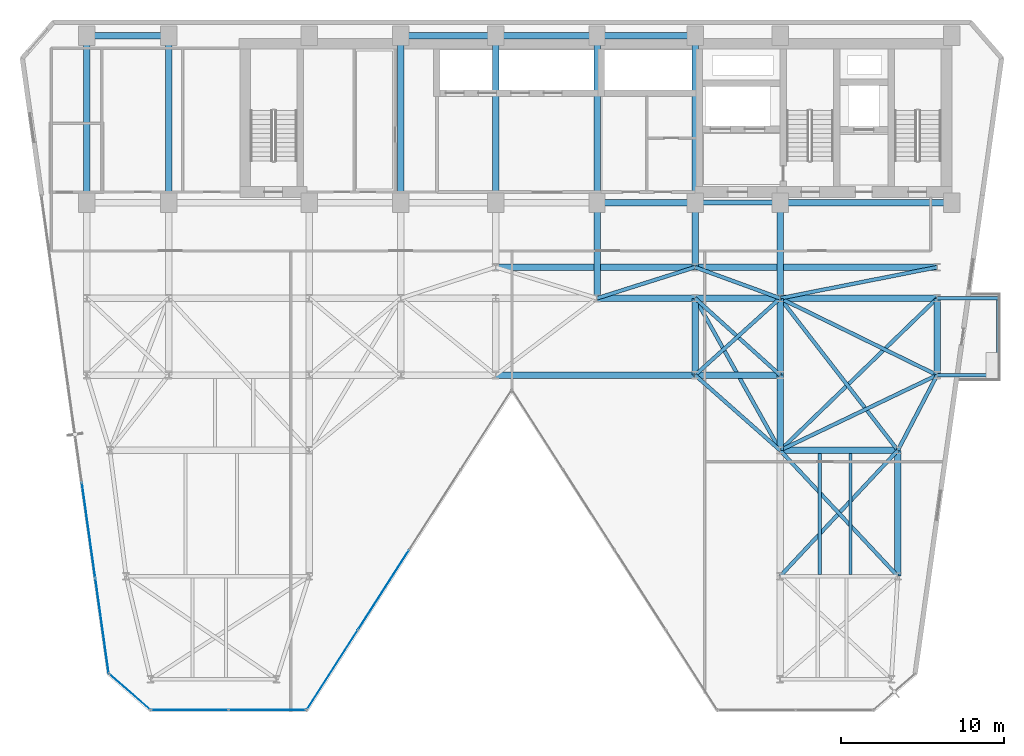
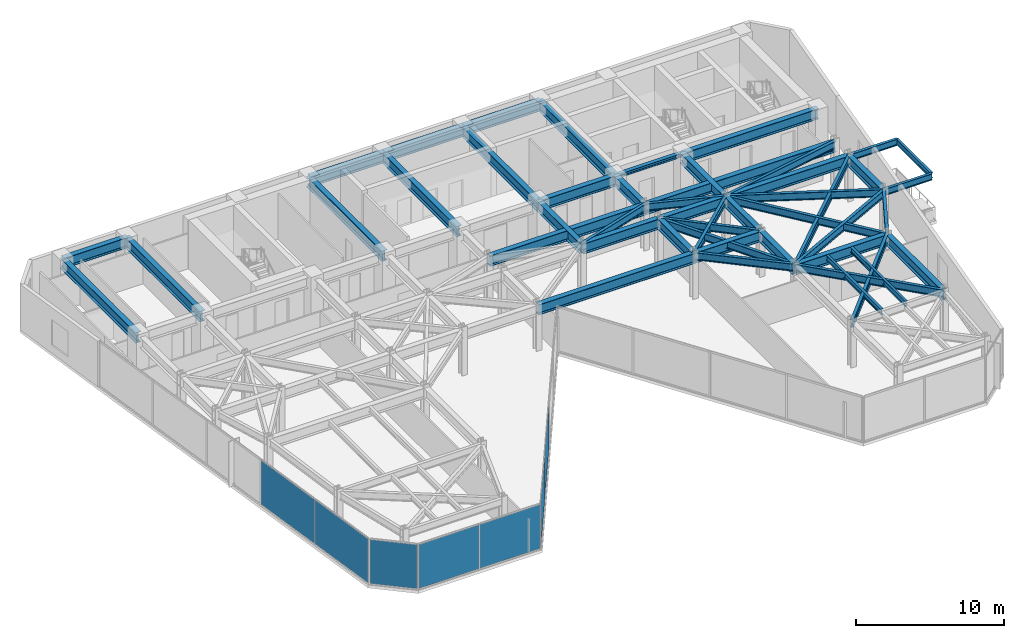
# One storey, part 20 of 26: 48 beams, 7 plates, 4 elements without a shape of their own.
"""IFC4 building model written with IfcOpenShell, lengths in metres."""

from ifc_helpers import new_model, si_unit, direction, frame, origin, origin_2d, place, context, subcontext, project, spatial, rectangle, i_section, extrude, material, layer, layer_set, material_profile, profile_set, type_object, element, aggregate, save


model = new_model("IFC4")

# Units and contexts
model_context = context("Model", 3, precision=1e-05, world=origin(), true_north=direction((0.0, 1.0)))
body_context = subcontext(model_context, "Body", "Model", "MODEL_VIEW")
ifc_project = project(units=[si_unit("LENGTHUNIT", "METRE"), si_unit("AREAUNIT", "SQUARE_METRE"), si_unit("VOLUMEUNIT", "CUBIC_METRE"), si_unit("PLANEANGLEUNIT", "RADIAN"), si_unit("MASSUNIT", "GRAM", prefix="KILO")], contexts=[model_context])

# Site, building, storey
site_placement = place(None, origin())
site = spatial("IfcSite", under=ifc_project, at=site_placement, CompositionType="ELEMENT")
building_placement = place(site_placement, origin())
building = spatial("IfcBuilding", under=site, at=building_placement, Name="Kravanh Interchange Tower", CompositionType="ELEMENT")
storey_placement = place(building_placement, frame((0.0, 0.0, 124.0)))
storey = spatial("IfcBuildingStorey", under=building, at=storey_placement, Name="L29", CompositionType="ELEMENT", Elevation=124.0)

# Beams
ifc_material_1 = material(Name="Structural Steel S355", Category="steel")
ifc_material_profile_1 = material_profile(ifc_material_1, i_section(OverallWidth=0.39990234375, OverallDepth=0.85595703125, WebThickness=0.018310546875, FlangeThickness=0.029296875, FilletRadius=0.02490234375, at=origin_2d()), Name="W33X201")
ifc_profile_set_1 = profile_set([ifc_material_profile_1], Name="Structural Steel S355")
beam_type_1 = type_object("IfcBeamType", Name="Floor Beam W33X201 Structural Steel S355", PredefinedType="BEAM", material=ifc_profile_set_1)
beam_1_placement = place(storey_placement, frame((66.5, 37.35009765625, 3.322021484375), z_axis=(-1.0, 0.0, 0.0), x_axis=(0.0, -1.0, 0.0)))
element("IfcBeam", 1, at=beam_1_placement, inside=storey, type_object=beam_type_1, Name="L29 Primary Floor Girder 5", PredefinedType="BEAM", context=body_context, shape_type="SweptSolid", body=[
    extrude(i_section(OverallWidth=0.39990234375, OverallDepth=0.85595703125, WebThickness=0.018310546875, FlangeThickness=0.029296875, FilletRadius=0.02490234375, at=origin_2d()), origin(), (0.0, 0.0, 1.0), 10.5),
])
beam_2_placement = place(storey_placement, frame((56.0, 37.35009765625, 3.322021484375), z_axis=(0.0, -1.0, 0.0), x_axis=(1.0, 0.0, 0.0)))
element("IfcBeam", 2, at=beam_2_placement, inside=storey, type_object=beam_type_1, Name="L29 Primary Floor Girder 7", PredefinedType="BEAM", context=body_context, shape_type="SweptSolid", body=[
    extrude(i_section(OverallWidth=0.39990234375, OverallDepth=0.85595703125, WebThickness=0.018310546875, FlangeThickness=0.029296875, FilletRadius=0.02490234375, at=origin_2d()), origin(), (0.0, 0.0, 1.0), 5.85009765625),
])
beam_3_placement = place(storey_placement, frame((50.800048828125, 47.550048828125, 3.322021484375), z_axis=(-1.0, 0.0, 0.0), x_axis=(0.0, -1.0, 0.0)))
element("IfcBeam", 3, at=beam_3_placement, inside=storey, type_object=beam_type_1, Name="L29 Primary Floor Girder 8", PredefinedType="BEAM", context=body_context, shape_type="SweptSolid", body=[
    extrude(i_section(OverallWidth=0.39990234375, OverallDepth=0.85595703125, WebThickness=0.018310546875, FlangeThickness=0.029296875, FilletRadius=0.02490234375, at=origin_2d()), origin(), (0.0, 0.0, 1.0), 6.0),
])
beam_4_placement = place(storey_placement, frame((50.800048828125, 47.550048828125, 3.322021484375), z_axis=(0.0, -1.0, 0.0), x_axis=(1.0, 0.0, 0.0)))
element("IfcBeam", 4, at=beam_4_placement, inside=storey, type_object=beam_type_1, Name="L29 Primary Floor Girder 9", PredefinedType="BEAM", context=body_context, shape_type="SweptSolid", body=[
    extrude(i_section(OverallWidth=0.39990234375, OverallDepth=0.85595703125, WebThickness=0.018310546875, FlangeThickness=0.029296875, FilletRadius=0.02490234375, at=origin_2d()), origin(), (0.0, 0.0, 1.0), 10.199951171875),
])
beam_5_placement = place(storey_placement, frame((50.800048828125, 37.35009765625, 3.322021484375), z_axis=(0.0, -1.0, 0.0), x_axis=(1.0, 0.0, 0.0)))
element("IfcBeam", 5, at=beam_5_placement, inside=storey, type_object=beam_type_1, Name="L29 Primary Floor Girder 10", PredefinedType="BEAM", context=body_context, shape_type="SweptSolid", body=[
    extrude(i_section(OverallWidth=0.39990234375, OverallDepth=0.85595703125, WebThickness=0.018310546875, FlangeThickness=0.029296875, FilletRadius=0.02490234375, at=origin_2d()), origin(), (0.0, 0.0, 1.0), 3.9501953125),
])
beam_6_placement = place(storey_placement, frame((50.800048828125, 37.35009765625, 3.322021484375), z_axis=(-1.0, 0.0, 0.0), x_axis=(0.0, -1.0, 0.0)))
element("IfcBeam", 6, at=beam_6_placement, inside=storey, type_object=beam_type_1, Name="L29 Primary Floor Girder 11", PredefinedType="BEAM", context=body_context, shape_type="SweptSolid", body=[
    extrude(i_section(OverallWidth=0.39990234375, OverallDepth=0.85595703125, WebThickness=0.018310546875, FlangeThickness=0.029296875, FilletRadius=0.02490234375, at=origin_2d()), origin(), (0.0, 0.0, 1.0), 6.0),
])
beam_7_placement = place(storey_placement, frame((44.800048828125, 37.35009765625, 3.322021484375), z_axis=(0.0, -1.0, 0.0), x_axis=(1.0, 0.0, 0.0)))
element("IfcBeam", 7, at=beam_7_placement, inside=storey, type_object=beam_type_1, Name="L29 Primary Floor Girder 12", PredefinedType="BEAM", context=body_context, shape_type="SweptSolid", body=[
    extrude(i_section(OverallWidth=0.39990234375, OverallDepth=0.85595703125, WebThickness=0.018310546875, FlangeThickness=0.029296875, FilletRadius=0.02490234375, at=origin_2d()), origin(), (0.0, 0.0, 1.0), 5.85009765625),
])
beam_8_placement = place(storey_placement, frame((44.800048828125, 37.35009765625, 3.322021484375), z_axis=(0.0, 1.0, 0.0), x_axis=(-1.0, 0.0, 0.0)))
element("IfcBeam", 8, at=beam_8_placement, inside=storey, type_object=beam_type_1, Name="L29 Primary Floor Girder 14", PredefinedType="BEAM", context=body_context, shape_type="SweptSolid", body=[
    extrude(i_section(OverallWidth=0.39990234375, OverallDepth=0.85595703125, WebThickness=0.018310546875, FlangeThickness=0.029296875, FilletRadius=0.02490234375, at=origin_2d()), origin(), (0.0, 0.0, 1.0), 10.199951171875),
])
beam_9_placement = place(storey_placement, frame((44.800048828125, 47.550048828125, 3.322021484375), z_axis=(-1.0, 0.0, 0.0), x_axis=(0.0, -1.0, 0.0)))
element("IfcBeam", 9, at=beam_9_placement, inside=storey, type_object=beam_type_1, Name="L29 Primary Floor Girder 15", PredefinedType="BEAM", context=body_context, shape_type="SweptSolid", body=[
    extrude(i_section(OverallWidth=0.39990234375, OverallDepth=0.85595703125, WebThickness=0.018310546875, FlangeThickness=0.029296875, FilletRadius=0.02490234375, at=origin_2d()), origin(), (0.0, 0.0, 1.0), 6.199951171875),
])
beam_10_placement = place(storey_placement, frame((38.60009765625, 37.35009765625, 3.322021484375), z_axis=(0.0, 1.0, 0.0), x_axis=(-1.0, 0.0, 0.0)))
element("IfcBeam", 10, at=beam_10_placement, inside=storey, type_object=beam_type_1, Name="L29 Primary Floor Girder 18", PredefinedType="BEAM", context=body_context, shape_type="SweptSolid", body=[
    extrude(i_section(OverallWidth=0.39990234375, OverallDepth=0.85595703125, WebThickness=0.018310546875, FlangeThickness=0.029296875, FilletRadius=0.02490234375, at=origin_2d()), origin(), (0.0, 0.0, 1.0), 10.199951171875),
])
beam_11_placement = place(storey_placement, frame((38.60009765625, 47.550048828125, 3.322021484375), z_axis=(-1.0, 0.0, 0.0), x_axis=(0.0, -1.0, 0.0)))
element("IfcBeam", 11, at=beam_11_placement, inside=storey, type_object=beam_type_1, Name="L29 Primary Floor Girder 19", PredefinedType="BEAM", context=body_context, shape_type="SweptSolid", body=[
    extrude(i_section(OverallWidth=0.39990234375, OverallDepth=0.85595703125, WebThickness=0.018310546875, FlangeThickness=0.029296875, FilletRadius=0.02490234375, at=origin_2d()), origin(), (0.0, 0.0, 1.0), 5.800048828125),
])
for number, where, z_axis, x_axis, name in (
    (12, (32.800048828125, 37.35009765625, 3.322021484375), (0.0, 1.0, 0.0), (-1.0, 0.0, 0.0), "L29 Primary Floor Girder 22"),
    (13, (18.60009765625, 37.35009765625, 3.322021484375), (0.0, 1.0, 0.0), (-1.0, 0.0, 0.0), "L29 Primary Floor Girder 30"),
):
    element("IfcBeam", number, at=place(storey_placement, frame(where, z_axis=z_axis, x_axis=x_axis)), inside=storey, type_object=beam_type_1, Name=name, PredefinedType="BEAM", context=body_context, shape_type="SweptSolid", body=[
        extrude(i_section(OverallWidth=0.39990234375, OverallDepth=0.85595703125, WebThickness=0.018310546875, FlangeThickness=0.029296875, FilletRadius=0.02490234375, at=origin_2d()), origin(), (0.0, 0.0, 1.0), 10.199951171875),
    ])
beam_12_placement = place(storey_placement, frame((18.60009765625, 47.550048828125, 3.322021484375), z_axis=(-1.0, 0.0, 0.0), x_axis=(0.0, -1.0, 0.0)))
element("IfcBeam", 14, at=beam_12_placement, inside=storey, type_object=beam_type_1, Name="L29 Primary Floor Girder 31", PredefinedType="BEAM", context=body_context, shape_type="SweptSolid", body=[
    extrude(i_section(OverallWidth=0.39990234375, OverallDepth=0.85595703125, WebThickness=0.018310546875, FlangeThickness=0.029296875, FilletRadius=0.02490234375, at=origin_2d()), origin(), (0.0, 0.0, 1.0), 5.0),
])
beam_13_placement = place(storey_placement, frame((13.60009765625, 37.35009765625, 3.322021484375), z_axis=(0.0, 1.0, 0.0), x_axis=(-1.0, 0.0, 0.0)))
element("IfcBeam", 15, at=beam_13_placement, inside=storey, type_object=beam_type_1, Name="L29 Primary Floor Girder 33", PredefinedType="BEAM", context=body_context, shape_type="SweptSolid", body=[
    extrude(i_section(OverallWidth=0.39990234375, OverallDepth=0.85595703125, WebThickness=0.018310546875, FlangeThickness=0.029296875, FilletRadius=0.02490234375, at=origin_2d()), origin(), (0.0, 0.0, 1.0), 10.199951171875),
])
beam_14_placement = place(storey_placement, frame((38.60009765625, 26.800048828125, 3.322021484375), z_axis=(1.0, 0.0, 0.0), x_axis=(0.0, 1.0, 0.0)))
element("IfcBeam", 16, at=beam_14_placement, inside=storey, type_object=beam_type_1, Name="L29 Primary Floor Girder 56", PredefinedType="BEAM", context=body_context, shape_type="SweptSolid", body=[
    extrude(i_section(OverallWidth=0.39990234375, OverallDepth=0.85595703125, WebThickness=0.018310546875, FlangeThickness=0.029296875, FilletRadius=0.02490234375, at=origin_2d()), origin(), (0.0, 0.0, 1.0), 12.199951171875),
])
beam_15_placement = place(storey_placement, frame((50.800048828125, 26.800048828125, 3.322021484375), z_axis=(0.0, 1.0, 0.0), x_axis=(-1.0, 0.0, 0.0)))
element("IfcBeam", 17, at=beam_15_placement, inside=storey, type_object=beam_type_1, Name="L29 Primary Floor Girder 57", PredefinedType="BEAM", context=body_context, shape_type="SweptSolid", body=[
    extrude(i_section(OverallWidth=0.39990234375, OverallDepth=0.85595703125, WebThickness=0.018310546875, FlangeThickness=0.029296875, FilletRadius=0.02490234375, at=origin_2d()), origin(), (0.0, 0.0, 1.0), 4.699951171875),
])
beam_16_placement = place(storey_placement, frame((50.800048828125, 26.800048828125, 3.322021484375), z_axis=(1.0, 0.0, 0.0), x_axis=(0.0, 1.0, 0.0)))
element("IfcBeam", 18, at=beam_16_placement, inside=storey, type_object=beam_type_1, Name="L29 Primary Floor Girder 58", PredefinedType="BEAM", context=body_context, shape_type="SweptSolid", body=[
    extrude(i_section(OverallWidth=0.39990234375, OverallDepth=0.85595703125, WebThickness=0.018310546875, FlangeThickness=0.029296875, FilletRadius=0.02490234375, at=origin_2d()), origin(), (0.0, 0.0, 1.0), 5.199951171875),
])
beam_17_placement = place(storey_placement, frame((56.0, 26.800048828125, 3.322021484375), z_axis=(0.0, -1.0, 0.0), x_axis=(1.0, 0.0, 0.0)))
element("IfcBeam", 19, at=beam_17_placement, inside=storey, type_object=beam_type_1, Name="L29 Primary Floor Girder 61", PredefinedType="BEAM", context=body_context, shape_type="SweptSolid", body=[
    extrude(i_section(OverallWidth=0.39990234375, OverallDepth=0.85595703125, WebThickness=0.018310546875, FlangeThickness=0.029296875, FilletRadius=0.02490234375, at=origin_2d()), origin(), (0.0, 0.0, 1.0), 4.60009765625),
])
for number, where, z_axis, x_axis, name in (
    (20, (56.0, 26.800048828125, 3.322021484375), (0.0, 1.0, 0.0), (-1.0, 0.0, 0.0), "L29 Primary Floor Girder 62"),
    (21, (65.60009765625, 26.800048828125, 3.322021484375), (0.0, 1.0, 0.0), (-1.0, 0.0, 0.0), "L29 Primary Floor Girder 65"),
):
    element("IfcBeam", number, at=place(storey_placement, frame(where, z_axis=z_axis, x_axis=x_axis)), inside=storey, type_object=beam_type_1, Name=name, PredefinedType="BEAM", context=body_context, shape_type="SweptSolid", body=[
        extrude(i_section(OverallWidth=0.39990234375, OverallDepth=0.85595703125, WebThickness=0.018310546875, FlangeThickness=0.029296875, FilletRadius=0.02490234375, at=origin_2d()), origin(), (0.0, 0.0, 1.0), 4.699951171875),
    ])
beam_18_placement = place(storey_placement, frame((44.800048828125, 31.5, 3.322021484375), z_axis=(1.0, 0.0, 0.0), x_axis=(0.0, 1.0, 0.0)))
element("IfcBeam", 22, at=beam_18_placement, inside=storey, type_object=beam_type_1, Name="L29 Primary Floor Girder 83", PredefinedType="BEAM", context=body_context, shape_type="SweptSolid", body=[
    extrude(i_section(OverallWidth=0.39990234375, OverallDepth=0.85595703125, WebThickness=0.018310546875, FlangeThickness=0.029296875, FilletRadius=0.02490234375, at=origin_2d()), origin(), (0.0, 0.0, 1.0), 6.0),
])
beam_19_placement = place(storey_placement, frame((50.800048828125, 31.5, 3.322021484375), z_axis=(1.0, 0.0, 0.0), x_axis=(0.0, 1.0, 0.0)))
element("IfcBeam", 23, at=beam_19_placement, inside=storey, type_object=beam_type_1, Name="L29 Primary Floor Girder 86", PredefinedType="BEAM", context=body_context, shape_type="SweptSolid", body=[
    extrude(i_section(OverallWidth=0.39990234375, OverallDepth=0.85595703125, WebThickness=0.018310546875, FlangeThickness=0.029296875, FilletRadius=0.02490234375, at=origin_2d()), origin(), (0.0, 0.0, 1.0), 5.199951171875),
])
beam_20_placement = place(storey_placement, frame((56.0, 31.5, 3.322021484375), z_axis=(1.0, 0.0, 0.0), x_axis=(0.0, 1.0, 0.0)))
element("IfcBeam", 24, at=beam_20_placement, inside=storey, type_object=beam_type_1, Name="L29 Primary Floor Girder 90", PredefinedType="BEAM", context=body_context, shape_type="SweptSolid", body=[
    extrude(i_section(OverallWidth=0.39990234375, OverallDepth=0.85595703125, WebThickness=0.018310546875, FlangeThickness=0.029296875, FilletRadius=0.02490234375, at=origin_2d()), origin(), (0.0, 0.0, 1.0), 9.60009765625),
])
beam_21_placement = place(storey_placement, frame((63.199951171875, 14.5, 3.322021484375), z_axis=(0.0, 1.0, 0.0), x_axis=(-1.0, 0.0, 0.0)))
element("IfcBeam", 25, at=beam_21_placement, inside=storey, type_object=beam_type_1, Name="L29 Primary Floor Girder 106", PredefinedType="BEAM", context=body_context, shape_type="SweptSolid", body=[
    extrude(i_section(OverallWidth=0.39990234375, OverallDepth=0.85595703125, WebThickness=0.018310546875, FlangeThickness=0.029296875, FilletRadius=0.02490234375, at=origin_2d()), origin(), (0.0, 0.0, 1.0), 7.699951171875),
])
beam_22_placement = place(storey_placement, frame((56.0, 22.199951171875, 3.322021484375), z_axis=(1.0, 0.0, 0.0), x_axis=(0.0, 1.0, 0.0)))
element("IfcBeam", 26, at=beam_22_placement, inside=storey, type_object=beam_type_1, Name="L29 Primary Floor Girder 109", PredefinedType="BEAM", context=body_context, shape_type="SweptSolid", body=[
    extrude(i_section(OverallWidth=0.39990234375, OverallDepth=0.85595703125, WebThickness=0.018310546875, FlangeThickness=0.029296875, FilletRadius=0.02490234375, at=origin_2d()), origin(), (0.0, 0.0, 1.0), 7.199951171875),
])
beam_23_placement = place(storey_placement, frame((38.60009765625, 33.39990234375, 3.322021484375), z_axis=(1.0, 0.0, 0.0), x_axis=(0.0, 1.0, 0.0)))
element("IfcBeam", 27, at=beam_23_placement, inside=storey, type_object=beam_type_1, Name="L29 Primary Floor Girder 111", PredefinedType="BEAM", context=body_context, shape_type="SweptSolid", body=[
    extrude(i_section(OverallWidth=0.39990234375, OverallDepth=0.85595703125, WebThickness=0.018310546875, FlangeThickness=0.029296875, FilletRadius=0.02490234375, at=origin_2d()), origin(), (0.0, 0.0, 1.0), 12.199951171875),
])
beam_24_placement = place(storey_placement, frame((50.800048828125, 33.39990234375, 3.322021484375), z_axis=(1.0, 0.0, 0.0), x_axis=(0.0, 1.0, 0.0)))
element("IfcBeam", 28, at=beam_24_placement, inside=storey, type_object=beam_type_1, Name="L29 Primary Floor Girder 112", PredefinedType="BEAM", context=body_context, shape_type="SweptSolid", body=[
    extrude(i_section(OverallWidth=0.39990234375, OverallDepth=0.85595703125, WebThickness=0.018310546875, FlangeThickness=0.029296875, FilletRadius=0.02490234375, at=origin_2d()), origin(), (0.0, 0.0, 1.0), 14.800048828125),
])
ifc_material_2 = material(Name="Structural Steel S355", Category="steel")
ifc_material_profile_2 = material_profile(ifc_material_2, i_section(OverallWidth=0.18994140625, OverallDepth=0.45703125, WebThickness=0.009033203125, FlangeThickness=0.014404296875, FilletRadius=0.01806640625, at=origin_2d()), Name="W18X50")
ifc_profile_set_2 = profile_set([ifc_material_profile_2], Name="Structural Steel S355")
beam_type_2 = type_object("IfcBeamType", Name="Floor Joist W18X50 Structural Steel S355", PredefinedType="JOIST", material=ifc_profile_set_2)
for number, where, z_axis, x_axis, name in (
    (29, (58.419921875, 14.60888671875, 3.521484375), (0.0, 1.0, 0.0), (-1.0, 0.0, 0.0), "L29 Secondary Floor Joist 7"),
    (30, (60.30810546875, 14.60888671875, 3.521484375), (0.0, 1.0, 0.0), (-1.0, 0.0, 0.0), "L29 Secondary Floor Joist 8"),
):
    element("IfcBeam", number, at=place(storey_placement, frame(where, z_axis=z_axis, x_axis=x_axis)), inside=storey, type_object=beam_type_2, Name=name, PredefinedType="JOIST", context=body_context, shape_type="SweptSolid", body=[
        extrude(i_section(OverallWidth=0.18994140625, OverallDepth=0.45703125, WebThickness=0.009033203125, FlangeThickness=0.014404296875, FilletRadius=0.01806640625, at=origin_2d()), origin(), (0.0, 0.0, 1.0), 7.39599609375),
    ])
beam_25_placement = place(storey_placement, frame((69.330078125, 26.800048828125, 3.521484375), z_axis=(0.0, 1.0, 0.0), x_axis=(-1.0, 0.0, 0.0)))
element("IfcBeam", 31, at=beam_25_placement, inside=storey, type_object=beam_type_2, Name="L29 Balcony Edge Tie Beam E", PredefinedType="JOIST", context=body_context, shape_type="SweptSolid", body=[
    extrude(i_section(OverallWidth=0.18994140625, OverallDepth=0.45703125, WebThickness=0.009033203125, FlangeThickness=0.014404296875, FilletRadius=0.01806640625, at=origin_2d()), origin(), (0.0, 0.0, 1.0), 4.699951171875),
])
ifc_material_3 = material(Name="Structural Steel S355", Category="steel")
ifc_material_profile_3 = material_profile(ifc_material_3, i_section(OverallWidth=0.304931640625, OverallDepth=0.306884765625, WebThickness=0.010009765625, FlangeThickness=0.015380859375, FilletRadius=0.014892578125, at=origin_2d()), Name="W12X65")
ifc_profile_set_3 = profile_set([ifc_material_profile_3], Name="Structural Steel S355")
beam_type_3 = type_object("IfcBeamType", Name="Floor Lintel W12X65 Structural Steel S355", PredefinedType="LINTEL", material=ifc_profile_set_3)
beam_26_placement = place(storey_placement, frame((50.800048828125, 37.35009765625, 3.596435546875), z_axis=(1.0, 0.0, 0.0), x_axis=(0.0, 1.0, 0.0)))
element("IfcBeam", 32, at=beam_26_placement, inside=storey, type_object=beam_type_3, Name="L29 Core Coupling Lintel 1", PredefinedType="LINTEL", context=body_context, shape_type="SweptSolid", body=[
    extrude(i_section(OverallWidth=0.304931640625, OverallDepth=0.306884765625, WebThickness=0.010009765625, FlangeThickness=0.015380859375, FilletRadius=0.014892578125, at=origin_2d()), origin(), (0.0, 0.0, 1.0), 5.199951171875),
])
ifc_material_4 = material(Name="Structural Steel S355", Category="steel")
ifc_material_profile_4 = material_profile(ifc_material_4, i_section(OverallWidth=0.2099609375, OverallDepth=0.537109375, WebThickness=0.010986328125, FlangeThickness=0.017333984375, FilletRadius=0.02001953125, at=origin_2d()), Name="W21X68")
ifc_profile_set_4 = profile_set([ifc_material_profile_4], Name="Structural Steel S355")
beam_type_4 = type_object("IfcBeamType", Name="Floor Spandrel W21X68 Structural Steel S355", PredefinedType="SPANDREL", material=ifc_profile_set_4)
for number, where, z_axis, x_axis, name in (
    (33, (65.60009765625, 26.800048828125, 3.4814453125), (1.0, 0.0, 0.0), (0.0, 1.0, 0.0), "L29 Balcony Cantilever Outrigger E1"),
    (34, (65.60009765625, 31.5, 3.4814453125), (1.0, 0.0, 0.0), (0.0, 1.0, 0.0), "L29 Balcony Cantilever Outrigger E2"),
):
    element("IfcBeam", number, at=place(storey_placement, frame(where, z_axis=z_axis, x_axis=x_axis)), inside=storey, type_object=beam_type_4, Name=name, PredefinedType="SPANDREL", context=body_context, shape_type="SweptSolid", body=[
        extrude(i_section(OverallWidth=0.2099609375, OverallDepth=0.537109375, WebThickness=0.010986328125, FlangeThickness=0.017333984375, FilletRadius=0.02001953125, at=origin_2d()), origin(), (0.0, 0.0, 1.0), 3.72998046875),
    ])
ifc_material_5 = material(Name="Structural Steel S355", Category="steel")
ifc_material_profile_5 = material_profile(ifc_material_5, i_section(OverallWidth=0.22802734375, OverallDepth=0.60791015625, WebThickness=0.01123046875, FlangeThickness=0.017333984375, FilletRadius=0.02197265625, at=origin_2d()), Name="W24X76")
ifc_profile_set_5 = profile_set([ifc_material_profile_5], Name="Structural Steel S355")
beam_type_5 = type_object("IfcBeamType", Name="Floor Spandrel W24X76 Structural Steel S355", PredefinedType="SPANDREL", material=ifc_profile_set_5)
beam_27_placement = place(storey_placement, frame((50.800048828125, 26.800048828125, 3.446044921875), z_axis=(0.74898649432, -0.662585263439, 0.0), x_axis=(0.662585263439, 0.74898649432, 0.0)))
element("IfcBeam", 35, at=beam_27_placement, inside=storey, type_object=beam_type_5, Name="L29 Perimeter Spandrel 59", PredefinedType="SPANDREL", context=body_context, shape_type="SweptSolid", body=[
    extrude(i_section(OverallWidth=0.22802734375, OverallDepth=0.60791015625, WebThickness=0.01123046875, FlangeThickness=0.017333984375, FilletRadius=0.02197265625, at=origin_2d()), origin(), (0.0, 0.0, 1.0), 6.942626953125),
])
for number, where, z_axis, x_axis, name in (
    (36, (50.800048828125, 26.800048828125, 3.446044921875), (0.741874009795, 0.670539300557, 0.0), (-0.670539300557, 0.741874009795, 0.0), "L29 Perimeter Spandrel 60"),
    (37, (56.0, 26.800048828125, 3.446044921875), (-0.741874009795, 0.670539300557, 0.0), (-0.670539300557, -0.741874009795, 0.0), "L29 Perimeter Spandrel 63"),
):
    element("IfcBeam", number, at=place(storey_placement, frame(where, z_axis=z_axis, x_axis=x_axis)), inside=storey, type_object=beam_type_5, Name=name, PredefinedType="SPANDREL", context=body_context, shape_type="SweptSolid", body=[
        extrude(i_section(OverallWidth=0.22802734375, OverallDepth=0.60791015625, WebThickness=0.01123046875, FlangeThickness=0.017333984375, FilletRadius=0.02197265625, at=origin_2d()), origin(), (0.0, 0.0, 1.0), 7.00927734375),
    ])
beam_28_placement = place(storey_placement, frame((65.60009765625, 26.800048828125, 3.446044921875), z_axis=(-0.462580479178, -0.886577295155, 0.0), x_axis=(0.886577295155, -0.462580479178, 0.0)))
element("IfcBeam", 38, at=beam_28_placement, inside=storey, type_object=beam_type_5, Name="L29 Perimeter Spandrel 66", PredefinedType="SPANDREL", context=body_context, shape_type="SweptSolid", body=[
    extrude(i_section(OverallWidth=0.22802734375, OverallDepth=0.60791015625, WebThickness=0.01123046875, FlangeThickness=0.017333984375, FilletRadius=0.02197265625, at=origin_2d()), origin(), (0.0, 0.0, 1.0), 5.188720703125),
])
beam_29_placement = place(storey_placement, frame((65.60009765625, 26.800048828125, 3.446044921875), z_axis=(-0.901814166789, -0.432124066188, 0.0), x_axis=(0.432124066188, -0.901814166789, 0.0)))
element("IfcBeam", 39, at=beam_29_placement, inside=storey, type_object=beam_type_5, Name="L29 Perimeter Spandrel 67", PredefinedType="SPANDREL", context=body_context, shape_type="SweptSolid", body=[
    extrude(i_section(OverallWidth=0.22802734375, OverallDepth=0.60791015625, WebThickness=0.01123046875, FlangeThickness=0.017333984375, FilletRadius=0.02197265625, at=origin_2d()), origin(), (0.0, 0.0, 1.0), 10.645263671875),
])
beam_30_placement = place(storey_placement, frame((65.60009765625, 26.800048828125, 3.446044921875), z_axis=(-0.898141688387, 0.439706160499, 0.0), x_axis=(-0.439706160499, -0.898141688387, 0.0)))
element("IfcBeam", 40, at=beam_30_placement, inside=storey, type_object=beam_type_5, Name="L29 Perimeter Spandrel 68", PredefinedType="SPANDREL", context=body_context, shape_type="SweptSolid", body=[
    extrude(i_section(OverallWidth=0.22802734375, OverallDepth=0.60791015625, WebThickness=0.01123046875, FlangeThickness=0.017333984375, FilletRadius=0.02197265625, at=origin_2d()), origin(), (0.0, 0.0, 1.0), 10.68896484375),
])
beam_31_placement = place(storey_placement, frame((44.800048828125, 31.5, 3.446044921875), z_axis=(0.953346691051, 0.301877602122, 0.0), x_axis=(-0.301877602122, 0.953346691051, 0.0)))
element("IfcBeam", 41, at=beam_31_placement, inside=storey, type_object=beam_type_5, Name="L29 Perimeter Spandrel 84", PredefinedType="SPANDREL", context=body_context, shape_type="SweptSolid", body=[
    extrude(i_section(OverallWidth=0.22802734375, OverallDepth=0.60791015625, WebThickness=0.01123046875, FlangeThickness=0.017333984375, FilletRadius=0.02197265625, at=origin_2d()), origin(), (0.0, 0.0, 1.0), 6.293701171875),
])
beam_32_placement = place(storey_placement, frame((50.800048828125, 31.5, 3.446044921875), z_axis=(0.488026248114, -0.872828952975, 0.0), x_axis=(0.872828952975, 0.488026248114, 0.0)))
element("IfcBeam", 42, at=beam_32_placement, inside=storey, type_object=beam_type_5, Name="L29 Perimeter Spandrel 87", PredefinedType="SPANDREL", context=body_context, shape_type="SweptSolid", body=[
    extrude(i_section(OverallWidth=0.22802734375, OverallDepth=0.60791015625, WebThickness=0.01123046875, FlangeThickness=0.017333984375, FilletRadius=0.02197265625, at=origin_2d()), origin(), (0.0, 0.0, 1.0), 10.655029296875),
])
beam_33_placement = place(storey_placement, frame((56.0, 31.5, 3.446044921875), z_axis=(-0.93926957103, 0.343180233896, 0.0), x_axis=(-0.343180233896, -0.93926957103, 0.0)))
element("IfcBeam", 43, at=beam_33_placement, inside=storey, type_object=beam_type_5, Name="L29 Perimeter Spandrel 89", PredefinedType="SPANDREL", context=body_context, shape_type="SweptSolid", body=[
    extrude(i_section(OverallWidth=0.22802734375, OverallDepth=0.60791015625, WebThickness=0.01123046875, FlangeThickness=0.017333984375, FilletRadius=0.02197265625, at=origin_2d()), origin(), (0.0, 0.0, 1.0), 5.5361328125),
])
beam_34_placement = place(storey_placement, frame((56.0, 31.5, 3.446044921875), z_axis=(0.980974000807, 0.194139150457, 0.0), x_axis=(-0.194139150457, 0.980974000807, 0.0)))
element("IfcBeam", 44, at=beam_34_placement, inside=storey, type_object=beam_type_5, Name="L29 Perimeter Spandrel 91", PredefinedType="SPANDREL", context=body_context, shape_type="SweptSolid", body=[
    extrude(i_section(OverallWidth=0.22802734375, OverallDepth=0.60791015625, WebThickness=0.01123046875, FlangeThickness=0.017333984375, FilletRadius=0.02197265625, at=origin_2d()), origin(), (0.0, 0.0, 1.0), 9.786376953125),
])
beam_35_placement = place(storey_placement, frame((56.0, 31.5, 3.446044921875), z_axis=(0.612168587637, -0.790727273028, 0.0), x_axis=(0.790727273028, 0.612168587637, 0.0)))
element("IfcBeam", 45, at=beam_35_placement, inside=storey, type_object=beam_type_5, Name="L29 Perimeter Spandrel 92", PredefinedType="SPANDREL", context=body_context, shape_type="SweptSolid", body=[
    extrude(i_section(OverallWidth=0.22802734375, OverallDepth=0.60791015625, WebThickness=0.01123046875, FlangeThickness=0.017333984375, FilletRadius=0.02197265625, at=origin_2d()), origin(), (0.0, 0.0, 1.0), 11.761474609375),
])
beam_36_placement = place(storey_placement, frame((65.60009765625, 31.5, 3.446044921875), z_axis=(-0.718241934329, -0.695793449072, 0.0), x_axis=(0.695793449072, -0.718241934329, 0.0)))
element("IfcBeam", 46, at=beam_36_placement, inside=storey, type_object=beam_type_5, Name="L29 Perimeter Spandrel 94", PredefinedType="SPANDREL", context=body_context, shape_type="SweptSolid", body=[
    extrude(i_section(OverallWidth=0.22802734375, OverallDepth=0.60791015625, WebThickness=0.01123046875, FlangeThickness=0.017333984375, FilletRadius=0.02197265625, at=origin_2d()), origin(), (0.0, 0.0, 1.0), 13.3662109375),
])
for number, where, z_axis, x_axis, name in (
    (47, (56.0, 14.5, 3.446044921875), (0.682993762113, 0.73042420614, 0.0), (-0.73042420614, 0.682993762113, 0.0), "L29 Perimeter Spandrel 105"),
    (48, (63.199951171875, 14.5, 3.446044921875), (-0.682993762113, 0.73042420614, 0.0), (-0.73042420614, -0.682993762113, 0.0), "L29 Perimeter Spandrel 107"),
):
    element("IfcBeam", number, at=place(storey_placement, frame(where, z_axis=z_axis, x_axis=x_axis)), inside=storey, type_object=beam_type_5, Name=name, PredefinedType="SPANDREL", context=body_context, shape_type="SweptSolid", body=[
        extrude(i_section(OverallWidth=0.22802734375, OverallDepth=0.60791015625, WebThickness=0.01123046875, FlangeThickness=0.017333984375, FilletRadius=0.02197265625, at=origin_2d()), origin(), (0.0, 0.0, 1.0), 10.541748046875),
    ])

# Curtain wall, plates
ifc_material_6 = material(Name="Anodised Bronze Aluminium", Category="aluminium")
ifc_layer_1 = layer(ifc_material_6, 0.179931640625)
ifc_layer_set_1 = layer_set([ifc_layer_1], Name="Unitised Curtain Wall System CW-Z2 Mid Office")
curtain_wall_type = type_object("IfcCurtainWallType", Name="Unitised Curtain Wall System CW-Z2 Mid Office", PredefinedType="NOTDEFINED", material=ifc_layer_set_1)
curtain_wall_1_placement = place(storey_placement, origin())
curtain_wall_1 = element("IfcCurtainWall", 49, at=curtain_wall_1_placement, inside=storey, type_object=curtain_wall_type, Name="L29 Unitised Curtain Wall CW-L29-01", PredefinedType="NOTDEFINED")
ifc_material_7 = material(Name="Low-E Laminated Architectural Glass", Category="glass")
ifc_layer_2 = layer(ifc_material_7, 0.02587890625)
ifc_layer_set_2 = layer_set([ifc_layer_2], Name="Solar-Control Double Glazing 26mm")
plate_type = type_object("IfcPlateType", Name="Solar-Control Double Glazing 26mm", PredefinedType="CURTAIN_PANEL", material=ifc_layer_set_2)
plate_1_placement = place(storey_placement, frame((14.524169921875, 11.479736328125, 0.06005859375), z_axis=(0.0, 0.0, 1.0), x_axis=(-0.13917285118, 0.990268103846, 0.0)))
plate_1 = element("IfcPlate", 50, at=plate_1_placement, type_object=plate_type, Name="CW-Z2 panel 1.1", PredefinedType="CURTAIN_PANEL", context=body_context, shape_type="SweptSolid", body=[
    extrude(rectangle(XDim=5.81982421875, YDim=0.02587890625, at=origin_2d()), origin(), (0.0, 0.0, 1.0), 3.6298828125),
])
plate_2_placement = place(storey_placement, frame((13.70361328125, 17.317138671875, 0.06005859375), z_axis=(0.0, 0.0, 1.0), x_axis=(-0.13917285118, 0.990268103846, 0.0)))
plate_2 = element("IfcPlate", 51, at=plate_2_placement, type_object=plate_type, Name="CW-Z2 panel 2.1", PredefinedType="CURTAIN_PANEL", context=body_context, shape_type="SweptSolid", body=[
    extrude(rectangle(XDim=5.849853515625, YDim=0.02587890625, at=origin_2d()), origin(), (0.0, 0.0, 1.0), 3.6298828125),
])
aggregate(curtain_wall_1, [plate_1, plate_2])

curtain_wall_2_placement = place(storey_placement, origin())
curtain_wall_2 = element("IfcCurtainWall", 52, at=curtain_wall_2_placement, inside=storey, type_object=curtain_wall_type, Name="L29 Unitised Curtain Wall CW-L29-05", PredefinedType="NOTDEFINED")
plate_3_placement = place(storey_placement, frame((31.74658203125, 13.6708984375, 0.06005859375), z_axis=(0.0, 0.0, 1.0), x_axis=(-0.539664865919, -0.841879939476, 0.0)))
plate_3 = element("IfcPlate", 53, at=plate_3_placement, type_object=plate_type, Name="CW-Z2 panel 3.1", PredefinedType="CURTAIN_PANEL", context=body_context, shape_type="SweptSolid", body=[
    extrude(rectangle(XDim=5.760986328125, YDim=0.02587890625, at=origin_2d()), origin(), (0.0, 0.0, 1.0), 3.6298828125),
])
plate_4_placement = place(storey_placement, frame((28.61328125, 8.782958984375, 0.06005859375), z_axis=(0.0, 0.0, 1.0), x_axis=(-0.539664865919, -0.841879939476, 0.0)))
plate_4 = element("IfcPlate", 54, at=plate_4_placement, type_object=plate_type, Name="CW-Z2 panel 4.1", PredefinedType="CURTAIN_PANEL", context=body_context, shape_type="SweptSolid", body=[
    extrude(rectangle(XDim=5.73095703125, YDim=0.02587890625, at=origin_2d()), origin(), (0.0, 0.0, 1.0), 3.6298828125),
])
aggregate(curtain_wall_2, [plate_3, plate_4])

curtain_wall_3_placement = place(storey_placement, origin())
curtain_wall_3 = element("IfcCurtainWall", 55, at=curtain_wall_3_placement, inside=storey, type_object=curtain_wall_type, Name="L29 Unitised Curtain Wall CW-L29-06", PredefinedType="NOTDEFINED")
plate_5_placement = place(storey_placement, frame((24.63330078125, 6.320068359375, 0.06005859375), z_axis=(0.0, 0.0, 1.0), x_axis=(-1.0, 0.0, 0.0)))
plate_5 = element("IfcPlate", 56, at=plate_5_placement, type_object=plate_type, Name="CW-Z2 panel 1.1", PredefinedType="CURTAIN_PANEL", context=body_context, shape_type="SweptSolid", body=[
    extrude(rectangle(XDim=4.682373046875, YDim=0.02587890625, at=origin_2d()), origin(), (0.0, 0.0, 1.0), 3.6298828125),
])
plate_6_placement = place(storey_placement, frame((19.890869140625, 6.320068359375, 0.06005859375), z_axis=(0.0, 0.0, 1.0), x_axis=(-1.0, 0.0, 0.0)))
plate_6 = element("IfcPlate", 57, at=plate_6_placement, type_object=plate_type, Name="CW-Z2 panel 2.1", PredefinedType="CURTAIN_PANEL", context=body_context, shape_type="SweptSolid", body=[
    extrude(rectangle(XDim=4.682373046875, YDim=0.02587890625, at=origin_2d()), origin(), (0.0, 0.0, 1.0), 3.6298828125),
])
aggregate(curtain_wall_3, [plate_5, plate_6])

# Curtain wall, plate
curtain_wall_4_placement = place(storey_placement, origin())
curtain_wall_4 = element("IfcCurtainWall", 58, at=curtain_wall_4_placement, inside=storey, type_object=curtain_wall_type, Name="L29 Unitised Curtain Wall CW-L29-07", PredefinedType="NOTDEFINED")
plate_7_placement = place(storey_placement, frame((16.213623046875, 7.429443359375, 0.06005859375), z_axis=(0.0, 0.0, 1.0), x_axis=(-0.754719458103, 0.656047665617, 0.0)))
plate_7 = element("IfcPlate", 59, at=plate_7_placement, type_object=plate_type, Name="CW-Z2 panel 1.1", PredefinedType="CURTAIN_PANEL", context=body_context, shape_type="SweptSolid", body=[
    extrude(rectangle(XDim=3.261962890625, YDim=0.02587890625, at=origin_2d()), origin(), (0.0, 0.0, 1.0), 3.6298828125),
])
aggregate(curtain_wall_4, [plate_7])

save(model, "model.ifc")
